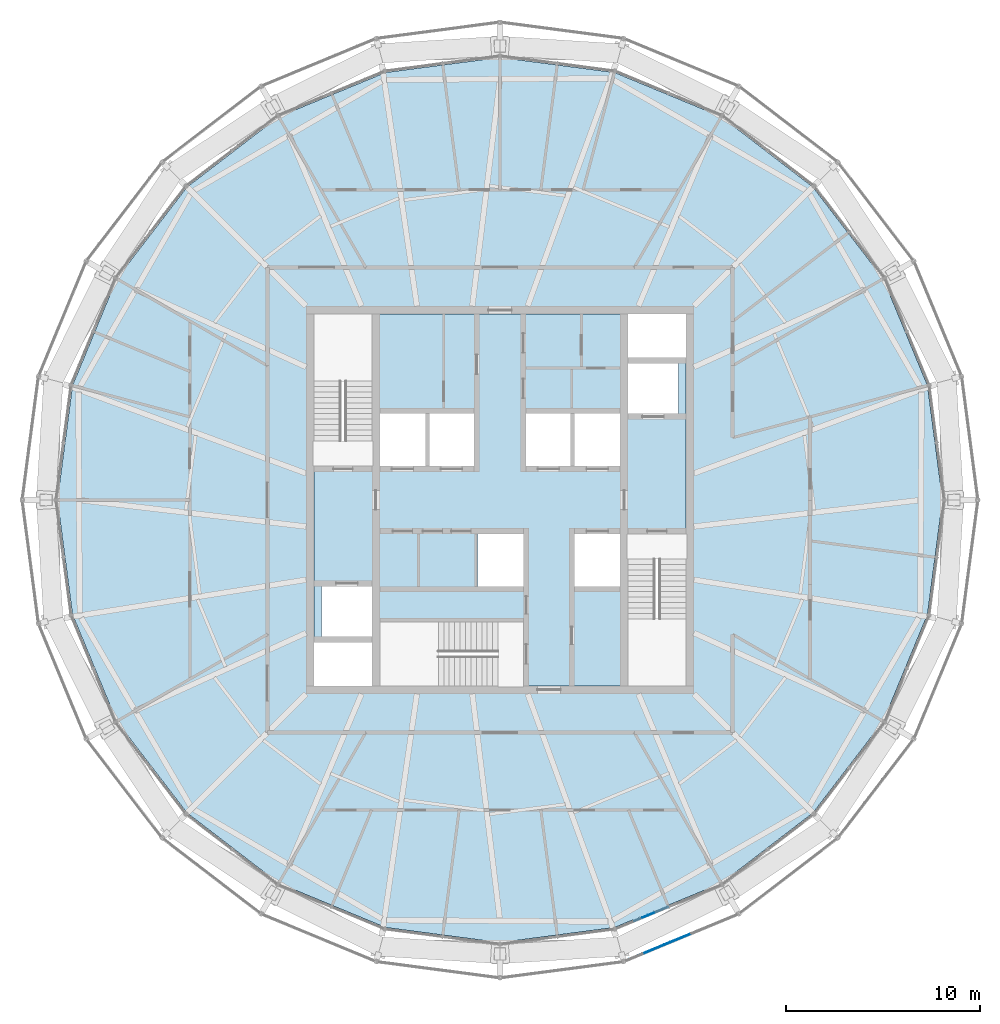
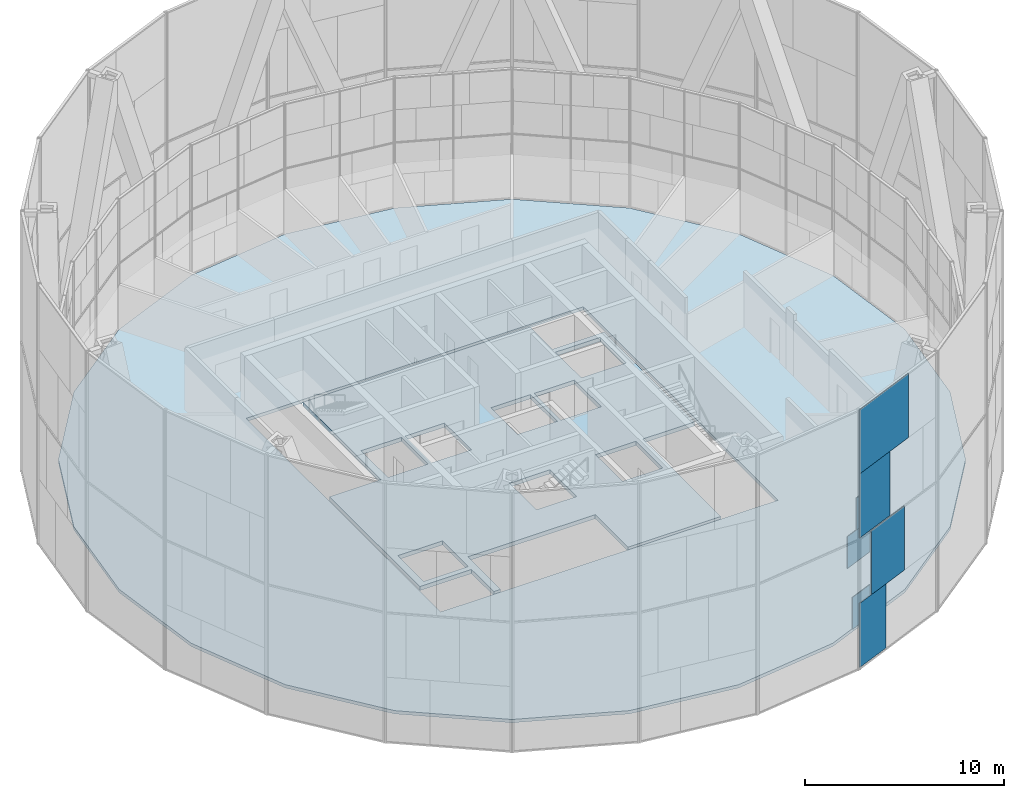
# One storey, part 13 of 23: 7 plates, 2 slabs, 2 elements without a shape of their own.
"""IFC4 building model written with IfcOpenShell, lengths in metres."""

from ifc_helpers import new_model, si_unit, direction, frame, origin, origin_2d, place, context, subcontext, project, spatial, polyline, rectangle, outline, extrude, material, layer, layer_set, type_object, element, aggregate, save


model = new_model("IFC4")

# Units and contexts
model_context = context("Model", 3, precision=1e-05, world=origin(), true_north=direction((0.0, 1.0)))
body_context = subcontext(model_context, "Body", "Model", "MODEL_VIEW")
ifc_project = project(units=[si_unit("LENGTHUNIT", "METRE"), si_unit("AREAUNIT", "SQUARE_METRE"), si_unit("VOLUMEUNIT", "CUBIC_METRE"), si_unit("PLANEANGLEUNIT", "RADIAN"), si_unit("MASSUNIT", "GRAM", prefix="KILO")], contexts=[model_context])

# Site, building, storey
site_placement = place(None, origin())
site = spatial("IfcSite", under=ifc_project, at=site_placement, CompositionType="ELEMENT")
building_placement = place(site_placement, origin())
building = spatial("IfcBuilding", under=site, at=building_placement, Name="Golbaran Civic Tower", CompositionType="ELEMENT")
storey_placement = place(building_placement, frame((0.0, 0.0, 232.0)))
storey = spatial("IfcBuildingStorey", under=building, at=storey_placement, Name="L56", CompositionType="ELEMENT", Elevation=232.0)

# Slabs
ifc_material_1 = material(Name="Concrete LC30/33 lightweight on steel deck", Category="concrete")
ifc_layer_1 = layer(ifc_material_1, 0.199951171875, Name="Concrete LC30/33 lightweight on steel deck")
ifc_layer_set_1 = layer_set([ifc_layer_1], Name="Concrete LC30/33 lightweight on steel deck")
slab_type_1 = type_object("IfcSlabType", Name="COMPOSITE FLOOR SLAB 200", PredefinedType="FLOOR", material=ifc_layer_set_1)
slab_1_placement = place(storey_placement, frame((0.0, 0.0, -0.199951171875)))
element("IfcSlab", 1, at=slab_1_placement, inside=storey, type_object=slab_type_1, Name="Floor slab L56", PredefinedType="FLOOR", context=body_context, shape_type="SweptSolid", body=[
    extrude(outline(polyline([(19.7734375, -11.416259765625), (16.144775390625, -16.144775390625), (11.416259765625, -19.7734375), (5.909423828125, -22.05419921875), (0.0, -22.832275390625), (-5.909423828125, -22.05419921875), (-11.416259765625, -19.7734375), (-16.144775390625, -16.144775390625), (-19.7734375, -11.416259765625), (-22.05419921875, -5.909423828125), (-22.832275390625, 0.0), (-22.05419921875, 5.909423828125), (-19.7734375, 11.416259765625), (-16.144775390625, 16.144775390625), (-11.416259765625, 19.7734375), (-5.909423828125, 22.05419921875), (0.0, 22.832275390625), (5.909423828125, 22.05419921875), (11.416259765625, 19.7734375), (16.144775390625, 16.144775390625), (19.7734375, 11.416259765625), (22.05419921875, 5.909423828125), (22.832275390625, 0.0), (22.05419921875, -5.909423828125), (19.7734375, -11.416259765625)]), holes=[polyline([(-9.800048828125, 9.800048828125), (-9.800048828125, -9.800048828125), (9.800048828125, -9.800048828125), (9.800048828125, 9.800048828125), (-9.800048828125, 9.800048828125)])]), origin(), (0.0, 0.0, 1.0), 0.199951171875),
])
ifc_material_2 = material(Name="Concrete C35/45", Category="concrete")
ifc_layer_2 = layer(ifc_material_2, 0.25, Name="Concrete C35/45")
ifc_layer_set_2 = layer_set([ifc_layer_2], Name="Concrete C35/45")
slab_type_2 = type_object("IfcSlabType", Name="CORE FLOOR SLAB 250", PredefinedType="FLOOR", material=ifc_layer_set_2)
slab_2_placement = place(storey_placement, frame((0.0, 0.0, -0.25)))
element("IfcSlab", 2, at=slab_2_placement, inside=storey, type_object=slab_type_2, Name="Core floor slab L56", PredefinedType="FLOOR", context=body_context, shape_type="SweptSolid", body=[
    extrude(outline(polyline([(6.60009765625, -1.75), (6.60009765625, -9.60009765625), (1.199951171875, -9.60009765625), (1.199951171875, -6.300048828125), (-6.199951171875, -6.300048828125), (-6.199951171875, -9.60009765625), (-6.60009765625, -9.60009765625), (-6.60009765625, -7.35009765625), (-9.60009765625, -7.35009765625), (-9.60009765625, 1.75), (-6.60009765625, 1.75), (-6.60009765625, 9.60009765625), (6.60009765625, 9.60009765625), (6.60009765625, 7.35009765625), (9.60009765625, 7.35009765625), (9.60009765625, -1.75), (6.60009765625, -1.75)]), holes=[polyline([(9.199951171875, 7.050048828125), (6.60009765625, 7.050048828125), (6.60009765625, 4.449951171875), (9.199951171875, 4.449951171875), (9.199951171875, 7.050048828125)]), polyline([(6.199951171875, -1.75), (3.85009765625, -1.75), (3.85009765625, -4.449951171875), (6.199951171875, -4.449951171875), (6.199951171875, -1.75)]), polyline([(6.199951171875, 4.449951171875), (3.85009765625, 4.449951171875), (3.85009765625, 1.75), (6.199951171875, 1.75), (6.199951171875, 4.449951171875)]), polyline([(3.64990234375, 4.449951171875), (1.35009765625, 4.449951171875), (1.35009765625, 1.75), (3.64990234375, 1.75), (3.64990234375, 4.449951171875)]), polyline([(-1.14990234375, -1.75), (-1.14990234375, -4.449951171875), (1.199951171875, -4.449951171875), (1.199951171875, -1.75), (-1.14990234375, -1.75)]), polyline([(-1.35009765625, 4.449951171875), (-3.64990234375, 4.449951171875), (-3.64990234375, 1.75), (-1.35009765625, 1.75), (-1.35009765625, 4.449951171875)]), polyline([(-3.85009765625, 4.449951171875), (-6.199951171875, 4.449951171875), (-6.199951171875, 1.75), (-3.85009765625, 1.75), (-3.85009765625, 4.449951171875)]), polyline([(-6.60009765625, -4.449951171875), (-9.199951171875, -4.449951171875), (-9.199951171875, -7.050048828125), (-6.60009765625, -7.050048828125), (-6.60009765625, -4.449951171875)])]), origin(), (0.0, 0.0, 1.0), 0.25),
])

# Curtain wall, plates
ifc_material_3 = material(Name="Aluminium and glass", Category="aluminium")
curtain_wall_type_1 = type_object("IfcCurtainWallType", Name="INNER SKIN CURTAIN WALL EXECUTIVE", PredefinedType="NOTDEFINED", material=ifc_material_3)
curtain_wall_1_placement = place(storey_placement, origin())
curtain_wall_1 = element("IfcCurtainWall", 3, at=curtain_wall_1_placement, inside=storey, type_object=curtain_wall_type_1, Name="Inner skin L56 facet 20 CW2", ObjectType="INNER SKIN", PredefinedType="USERDEFINED")
ifc_material_4 = material(Name="Clear insulating glass", Category="glass")
ifc_layer_3 = layer(ifc_material_4, 0.031982421875, Name="Clear insulating glass")
ifc_layer_set_3 = layer_set([ifc_layer_3], Name="Clear insulating glass")
plate_type_1 = type_object("IfcPlateType", Name="INNER SKIN CURTAIN WALL EXECUTIVE GLAZED PANEL", PredefinedType="CURTAIN_PANEL", material=ifc_layer_set_3)
plate_1_placement = place(storey_placement, frame((8.008544921875, -21.271484375, 0.06005859375), z_axis=(0.0, 0.0, 1.0), x_axis=(0.923879532511, 0.382683432365, 0.0)))
plate_1 = element("IfcPlate", 4, at=plate_1_placement, type_object=plate_type_1, Name="CW2 panel 1.1 part 2", PredefinedType="CURTAIN_PANEL", context=body_context, shape_type="SweptSolid", body=[
    extrude(rectangle(XDim=1.4228515625, YDim=0.031982421875, at=origin_2d()), origin(), (0.0, 0.0, 1.0), 1.955078125),
])
ifc_material_5 = material(Name="Aluminium faced opaque infill panel", Category="aluminium")
ifc_layer_4 = layer(ifc_material_5, 0.031982421875, Name="Aluminium faced opaque infill panel")
ifc_layer_set_4 = layer_set([ifc_layer_4], Name="Aluminium faced opaque infill panel")
plate_type_2 = type_object("IfcPlateType", Name="INNER SKIN CURTAIN WALL EXECUTIVE OPAQUE INFILL PANEL", PredefinedType="CURTAIN_PANEL", material=ifc_layer_set_4)
plate_2_placement = place(storey_placement, frame((7.8037109375, -21.356201171875, 4.030029296875), z_axis=(0.0, 0.0, 1.0), x_axis=(0.923879532511, 0.382683432365, 0.0)))
plate_2 = element("IfcPlate", 5, at=plate_2_placement, type_object=plate_type_2, Name="CW2 infill panel 1.2 part 2", PredefinedType="CURTAIN_PANEL", context=body_context, shape_type="SweptSolid", body=[
    extrude(rectangle(XDim=1.86572265625, YDim=0.031982421875, at=origin_2d()), origin(), (0.0, 0.0, 1.0), 1.955078125),
])
plate_3_placement = place(storey_placement, frame((8.152099609375, -21.2119140625, 5.98486328125), z_axis=(0.0, 0.0, 1.0), x_axis=(0.923879532511, 0.382683432365, 0.0)))
plate_3 = element("IfcPlate", 6, at=plate_3_placement, type_object=plate_type_2, Name="CW2 infill panel 1.2 part 4", PredefinedType="CURTAIN_PANEL", context=body_context, shape_type="SweptSolid", body=[
    extrude(rectangle(XDim=1.11181640625, YDim=0.031982421875, at=origin_2d()), origin(), (0.0, 0.0, 1.0), 1.955078125),
])
aggregate(curtain_wall_1, [plate_1, plate_2, plate_3])

curtain_wall_type_2 = type_object("IfcCurtainWallType", Name="OUTER SKIN TERRACOTTA SCREEN", PredefinedType="NOTDEFINED", material=ifc_material_3)
curtain_wall_2_placement = place(storey_placement, origin())
curtain_wall_2 = element("IfcCurtainWall", 7, at=curtain_wall_2_placement, inside=storey, type_object=curtain_wall_type_2, Name="Outer skin L56 facet 20 CW3", ObjectType="OUTER SKIN", PredefinedType="USERDEFINED")
ifc_material_6 = material(Name="Clear laminated glass", Category="glass")
ifc_layer_5 = layer(ifc_material_6, 0.0400390625, Name="Clear laminated glass")
ifc_layer_set_5 = layer_set([ifc_layer_5], Name="Clear laminated glass")
plate_type_3 = type_object("IfcPlateType", Name="OUTER SKIN CLEAR GLASS PANEL", PredefinedType="CURTAIN_PANEL", material=ifc_layer_set_5)
plate_4_placement = place(storey_placement, frame((7.616943359375, -23.302978515625, 7.330078125), z_axis=(0.0, 0.0, 1.0), x_axis=(0.923879532505, 0.382683432381, 0.0)))
plate_4 = element("IfcPlate", 8, at=plate_4_placement, type_object=plate_type_3, Name="CW3 panel 1.2 part 1", PredefinedType="CURTAIN_PANEL", context=body_context, shape_type="SweptSolid", body=[
    extrude(rectangle(XDim=2.514892578125, YDim=0.0400390625, at=origin_2d()), origin(), (0.0, 0.0, 1.0), 3.93994140625),
])
plate_5_placement = place(storey_placement, frame((8.3212890625, -23.01123046875, 11.27001953125), z_axis=(0.0, 0.0, 1.0), x_axis=(0.923879532505, 0.382683432381, 0.0)))
plate_5 = element("IfcPlate", 9, at=plate_5_placement, type_object=plate_type_3, Name="CW3 panel 1.2 part 4", PredefinedType="CURTAIN_PANEL", context=body_context, shape_type="SweptSolid", body=[
    extrude(rectangle(XDim=4.0400390625, YDim=0.0400390625, at=origin_2d()), origin(), (0.0, 0.0, 1.0), 3.93994140625),
])
ifc_material_7 = material(Name="Terracotta baguette screen", Category="masonry")
ifc_layer_6 = layer(ifc_material_7, 0.0400390625, Name="Terracotta baguette screen")
ifc_layer_set_6 = layer_set([ifc_layer_6], Name="Terracotta baguette screen")
plate_type_4 = type_object("IfcPlateType", Name="OUTER SKIN TERRACOTTA INFILL PANEL", PredefinedType="CURTAIN_PANEL", material=ifc_layer_set_6)
plate_6_placement = place(storey_placement, frame((7.46435546875, -23.3662109375, -0.6298828125), z_axis=(0.0, 0.0, 1.0), x_axis=(0.923879532505, 0.382683432381, 0.0)))
plate_6 = element("IfcPlate", 10, at=plate_6_placement, type_object=plate_type_4, Name="CW3 infill panel 1.1 part 1", PredefinedType="CURTAIN_PANEL", context=body_context, shape_type="SweptSolid", body=[
    extrude(rectangle(XDim=2.18505859375, YDim=0.0400390625, at=origin_2d()), origin(), (0.0, 0.0, 1.0), 3.93994140625),
])
plate_7_placement = place(storey_placement, frame((8.61181640625, -22.890869140625, 3.31005859375), z_axis=(0.0, 0.0, 1.0), x_axis=(0.923879532505, 0.382683432381, 0.0)))
plate_7 = element("IfcPlate", 11, at=plate_7_placement, type_object=plate_type_4, Name="CW3 infill panel 1.1 part 4", PredefinedType="CURTAIN_PANEL", context=body_context, shape_type="SweptSolid", body=[
    extrude(rectangle(XDim=2.739013671875, YDim=0.0400390625, at=origin_2d()), origin(), (0.0, 0.0, 1.0), 3.93994140625),
])
aggregate(curtain_wall_2, [plate_6, plate_7, plate_4, plate_5])

save(model, "model.ifc")
